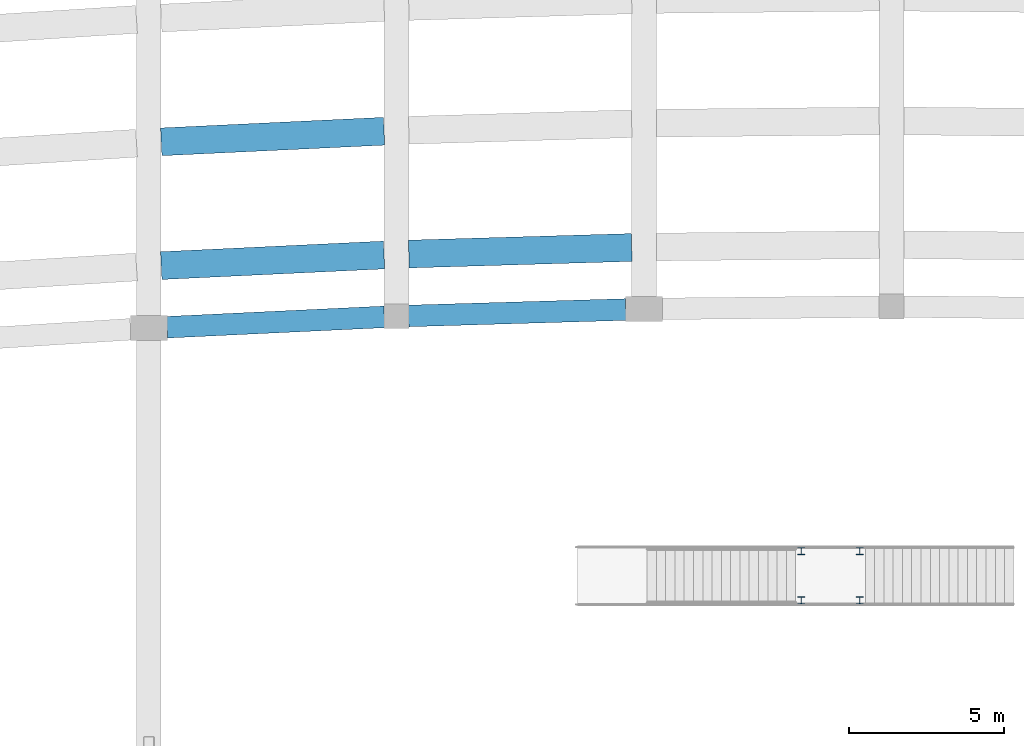
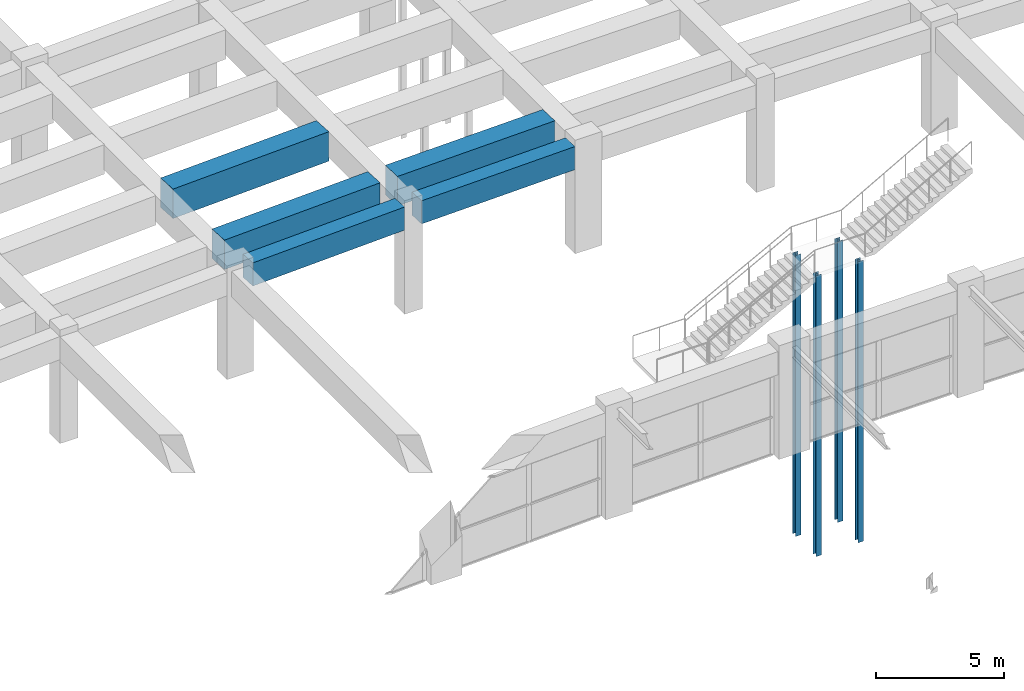
# One storey, part 25 of 69: 5 beams, 4 members.
"""IFC4 building model written with IfcOpenShell, lengths in metres."""

import ifcopenshell
import ifcopenshell.guid

model = None  # the IFC model being written
_history = None  # IfcOwnerHistory: only IFC2X3 demands one
_inside = {}  # id of a spatial element -> (the spatial element, [elements in it])
_under = {}  # id of a project, library or spatial element -> (it, [spatial elements below it])
_declared = {}  # id of a project -> (the project, [libraries it declares])
_typed = {}  # id of a type object -> (the type object, [elements of that type])
_made_of = {}  # id of a material, layer set ... -> (it, [elements and type objects made of it])


def new_model(schema):
    """Start an empty IFC model of exactly this schema.

    Asked for "IFC4X3", IfcOpenShell would pick the latest addendum, in which some entities
    have other attributes; the version numbers below select the first issue.
    IFC2X3 requires an IfcOwnerHistory on every rooted entity: one is made here for all.
    """
    global model, _history
    if schema == "IFC4X3":
        model = ifcopenshell.file(schema_version=(4, 3, 0, 0))
    else:
        model = ifcopenshell.file(schema=schema)
    _inside.clear()
    _under.clear()
    _declared.clear()
    _typed.clear()
    _made_of.clear()
    _history = None
    if model.schema == "IFC2X3":
        org = make("IfcOrganization", Name="unknown")
        user = make(
            "IfcPersonAndOrganization",
            ThePerson=make("IfcPerson", FamilyName="unknown"),
            TheOrganization=org,
        )
        app = make(
            "IfcApplication",
            ApplicationDeveloper=org,
            Version="unknown",
            ApplicationFullName="unknown",
            ApplicationIdentifier="unknown",
        )
        _history = make(
            "IfcOwnerHistory",
            OwningUser=user,
            OwningApplication=app,
            ChangeAction="ADDED",
            CreationDate=0,
        )
    return model


def make(cls, **values):
    """One entity of the class cls with the attributes given. An attribute that is None is left unset."""
    return model.create_entity(
        cls, **{name: value for name, value in values.items() if value is not None}
    )


def rooted(cls, **values):
    """An entity with a GlobalId (a new one), such as an element, a storey or a relation."""
    return make(cls, GlobalId=ifcopenshell.guid.new(), OwnerHistory=_history, **values)


def si_unit(unit_type, name, prefix=None):
    """IfcSIUnit, for example si_unit("LENGTHUNIT", "METRE", prefix="MILLI")."""
    return make("IfcSIUnit", UnitType=unit_type, Prefix=prefix, Name=name)


def assignment(units):
    """IfcUnitAssignment: the units of a project."""
    return None if units is None else make("IfcUnitAssignment", Units=units)


def point(xyz):
    """IfcCartesianPoint."""
    return None if xyz is None else make("IfcCartesianPoint", Coordinates=xyz)


def direction(xyz):
    """IfcDirection."""
    return None if xyz is None else make("IfcDirection", DirectionRatios=xyz)


def frame(location, z_axis=None, x_axis=None):
    """IfcAxis2Placement3D, a coordinate frame: its origin and axes. An axis left out is left unset."""
    return make(
        "IfcAxis2Placement3D",
        Location=point(location),
        Axis=direction(z_axis),
        RefDirection=direction(x_axis),
    )


def frame_2d(location, x_axis=None):
    """IfcAxis2Placement2D, a coordinate frame in the plane: its origin and x axis."""
    return make(
        "IfcAxis2Placement2D", Location=point(location), RefDirection=direction(x_axis)
    )


def origin():
    """The frame at (0, 0, 0) with its axes left unset."""
    return frame((0.0, 0.0, 0.0))


def origin_2d():
    """The frame at (0, 0) in the plane with its x axis left unset."""
    return frame_2d((0.0, 0.0))


def place(relative_to, where):
    """IfcLocalPlacement: puts the frame where relative to a parent placement (None: the world)."""
    return make(
        "IfcLocalPlacement", PlacementRelTo=relative_to, RelativePlacement=where
    )


def context(
    kind, dimensions, precision=None, world=None, true_north=None, identifier=None
):
    """IfcGeometricRepresentationContext, for example the 3D "Model" context."""
    return make(
        "IfcGeometricRepresentationContext",
        ContextIdentifier=identifier,
        ContextType=kind,
        CoordinateSpaceDimension=dimensions,
        Precision=precision,
        WorldCoordinateSystem=world,
        TrueNorth=true_north,
    )


def subcontext(parent, identifier, kind, view, scale=None):
    """IfcGeometricRepresentationSubContext, for example "Body" below "Model"."""
    return make(
        "IfcGeometricRepresentationSubContext",
        ContextIdentifier=identifier,
        ContextType=kind,
        ParentContext=parent,
        TargetScale=scale,
        TargetView=view,
    )


def project(units=None, contexts=None):
    """IfcProject with its units and contexts."""
    return rooted(
        "IfcProject",
        Name="project",
        RepresentationContexts=contexts,
        UnitsInContext=assignment(units),
    )


def spatial(cls, under=None, at=None, **own):
    """A site, building, storey or space (cls), placed at a placement, below another one or the project."""
    s = rooted(cls, ObjectPlacement=at, **own)
    if under is not None:
        _under.setdefault(under.id(), (under, []))[1].append(s)
    return s


def profile(cls, at=None, kind="AREA", **sizes):
    """A parametric profile (cls). Its sizes go by their IFC names, for example OverallWidth=200.0."""
    return make(cls, ProfileType=kind, Position=at, **sizes)


def rectangle(**sizes):
    """IfcRectangleProfileDef."""
    return profile("IfcRectangleProfileDef", **sizes)


def i_section(**sizes):
    """IfcIShapeProfileDef."""
    return profile("IfcIShapeProfileDef", **sizes)


def extrude(swept, where, along, depth):
    """IfcExtrudedAreaSolid: the profile swept, set in the frame where, extruded along a direction by depth."""
    return make(
        "IfcExtrudedAreaSolid",
        SweptArea=swept,
        Position=where,
        ExtrudedDirection=direction(along),
        Depth=depth,
    )


def shape(context_of_items, identifier, shape_type, items):
    """IfcShapeRepresentation: the items that make up one representation, for example the "Body"."""
    return make(
        "IfcShapeRepresentation",
        ContextOfItems=context_of_items,
        RepresentationIdentifier=identifier,
        RepresentationType=shape_type,
        Items=items,
    )


def material(Name=None, Category=None):
    """IfcMaterial."""
    return make("IfcMaterial", Name=Name, Category=Category)


def material_profile(
    of_material, cross_section, Name=None, Category=None, Priority=None
):
    """IfcMaterialProfile: a cross section and its material."""
    return make(
        "IfcMaterialProfile",
        Name=Name,
        Material=of_material,
        Profile=cross_section,
        Priority=Priority,
        Category=Category,
    )


def profile_set(profiles, Name=None, composite=None):
    """IfcMaterialProfileSet."""
    return make(
        "IfcMaterialProfileSet",
        Name=Name,
        MaterialProfiles=profiles,
        CompositeProfile=composite,
    )


def made_of(thing, what):
    """Note that an element or type object is made of a material, layer set ...; save() writes the relation."""
    if what is not None:
        _made_of.setdefault(what.id(), (what, []))[1].append(thing)
    return thing


def type_object(cls, material=None, **own):
    """A type object (cls), such as IfcWallType, which elements share."""
    return made_of(rooted(cls, **own), material)


def element(
    cls,
    number,
    at=None,
    inside=None,
    cuts=None,
    type_object=None,
    material=None,
    context=None,
    identifier="Body",
    shape_type=None,
    held_by="IfcProductDefinitionShape",
    body=None,
    shapes=None,
    **own,
):
    """One element of the class cls, such as IfcWall. Its Tag is "e" and its number.

    at: its placement. inside: the storey or other place that contains it. cuts: it is an
    opening in that element (IfcRelVoidsElement). A single representation is given by context,
    identifier, shape_type and body (its items); several are given by shapes. held_by: the class
    of the entity that holds the representations. save() writes the other relations.
    """
    e = rooted(cls, Tag="e%d" % number, ObjectPlacement=at, **own)
    if body is not None:
        shapes = [shape(context, identifier, shape_type, body)]
    if shapes is not None:
        e.Representation = make(held_by, Representations=shapes)
    if inside is not None:
        _inside.setdefault(inside.id(), (inside, []))[1].append(e)
    if cuts is not None:
        rooted(
            "IfcRelVoidsElement", RelatingBuildingElement=cuts, RelatedOpeningElement=e
        )
    if type_object is not None:
        _typed.setdefault(type_object.id(), (type_object, []))[1].append(e)
    return made_of(e, material)


def aggregate(whole, parts):
    """IfcRelAggregates: a whole, such as a stair, and the parts it consists of."""
    return rooted("IfcRelAggregates", RelatingObject=whole, RelatedObjects=parts)


def save(model, path):
    """Write the relations noted so far, then the file.

    IfcRelAggregates (storeys below a building ...), IfcRelContainedInSpatialStructure (elements
    in a storey), IfcRelDefinesByType, IfcRelAssociatesMaterial and IfcRelDeclares: one each for
    every whole, place, type object, material and project.
    """
    for whole, parts in _under.values():
        aggregate(whole, parts)
    for where, things in _inside.values():
        rooted(
            "IfcRelContainedInSpatialStructure",
            RelatedElements=things,
            RelatingStructure=where,
        )
    for kind, things in _typed.values():
        rooted("IfcRelDefinesByType", RelatedObjects=things, RelatingType=kind)
    for what, things in _made_of.values():
        rooted("IfcRelAssociatesMaterial", RelatedObjects=things, RelatingMaterial=what)
    for by, libraries in _declared.values():
        rooted("IfcRelDeclares", RelatingContext=by, RelatedDefinitions=libraries)
    model.write(path)


model = new_model("IFC4")

# Units and contexts
model_context = context("Model", 3, precision=1e-05, world=origin(), true_north=direction((0.0, 1.0)))
body_context = subcontext(model_context, "Body", "Model", "MODEL_VIEW")
ifc_project = project(units=[si_unit("LENGTHUNIT", "METRE"), si_unit("AREAUNIT", "SQUARE_METRE"), si_unit("VOLUMEUNIT", "CUBIC_METRE"), si_unit("PLANEANGLEUNIT", "RADIAN"), si_unit("MASSUNIT", "GRAM", prefix="KILO")], contexts=[model_context])

# Site, building, storey
site_placement = place(None, origin())
site = spatial("IfcSite", under=ifc_project, at=site_placement, CompositionType="ELEMENT")
building_placement = place(site_placement, origin())
building = spatial("IfcBuilding", under=site, at=building_placement, Name="Kenh Van Central Station", CompositionType="ELEMENT")
storey_placement = place(building_placement, frame((0.0, 0.0, 5.39990234375)))
storey = spatial("IfcBuildingStorey", under=building, at=storey_placement, Name="L01", CompositionType="ELEMENT", Elevation=5.39990234375)

# Beams
ifc_material_1 = material(Name="Concrete C40/50", Category="concrete")
ifc_material_profile_1 = material_profile(ifc_material_1, rectangle(XDim=0.699951171875, YDim=1.10009765625, at=origin_2d()), Name="RC 700x1100")
ifc_profile_set_1 = profile_set([ifc_material_profile_1], Name="Concrete C40/50")
beam_type_1 = type_object("IfcBeamType", Name="BM-RC-700x1100", PredefinedType="BEAM", material=ifc_profile_set_1)
beam_1_placement = place(storey_placement, frame((64.58935546875, 82.530029296875, 4.530029296875), z_axis=(0.998867194536, 0.04758495224, 0.0), x_axis=(-0.04758495224, 0.998867194536, 0.0)))
element("IfcBeam", 1, at=beam_1_placement, inside=storey, type_object=beam_type_1, Name="L01 viaduct girder 1398", PredefinedType="BEAM", context=body_context, shape_type="SweptSolid", body=[
    extrude(rectangle(XDim=0.699951171875, YDim=1.10009765625, at=origin_2d()), origin(), (0.0, 0.0, 1.0), 7.029052734375),
])
beam_2_placement = place(storey_placement, frame((72.389892578125, 82.89453125, 4.530029296875), z_axis=(0.999562359797, 0.029581901172, 0.0), x_axis=(-0.029581901172, 0.999562359797, 0.0)))
element("IfcBeam", 2, at=beam_2_placement, inside=storey, type_object=beam_type_1, Name="L01 viaduct girder 1399", PredefinedType="BEAM", context=body_context, shape_type="SweptSolid", body=[
    extrude(rectangle(XDim=0.699951171875, YDim=1.10009765625, at=origin_2d()), origin(), (0.0, 0.0, 1.0), 7.0234375),
])
ifc_material_profile_2 = material_profile(ifc_material_1, rectangle(XDim=0.89990234375, YDim=1.39990234375, at=origin_2d()), Name="RC 900x1400")
ifc_profile_set_2 = profile_set([ifc_material_profile_2], Name="Concrete C40/50")
beam_type_2 = type_object("IfcBeamType", Name="BM-TRK-900x1400", PredefinedType="BEAM", material=ifc_profile_set_2)
beam_3_placement = place(storey_placement, frame((64.399658203125, 84.52099609375, 4.380126953125), z_axis=(0.998867294729, 0.047582849023, 0.0), x_axis=(-0.047582849023, 0.998867294729, 0.0)))
element("IfcBeam", 3, at=beam_3_placement, inside=storey, type_object=beam_type_2, Name="Track 1 trough girder 1479", PredefinedType="BEAM", context=body_context, shape_type="SweptSolid", body=[
    extrude(rectangle(XDim=0.89990234375, YDim=1.39990234375, at=origin_2d()), origin(), (0.0, 0.0, 1.0), 7.208740234375),
])
beam_4_placement = place(storey_placement, frame((72.39990234375, 84.89501953125, 4.380126953125), z_axis=(0.999563172588, 0.029554424471, 0.0), x_axis=(-0.029554424471, 0.999563172588, 0.0)))
element("IfcBeam", 4, at=beam_4_placement, inside=storey, type_object=beam_type_2, Name="Track 1 trough girder 1480", PredefinedType="BEAM", context=body_context, shape_type="SweptSolid", body=[
    extrude(rectangle(XDim=0.89990234375, YDim=1.39990234375, at=origin_2d()), origin(), (0.0, 0.0, 1.0), 7.203369140625),
])
beam_5_placement = place(storey_placement, frame((64.399658203125, 88.52099609375, 4.380126953125), z_axis=(0.998867294729, 0.047582849023, 0.0), x_axis=(-0.047582849023, 0.998867294729, 0.0)))
element("IfcBeam", 5, at=beam_5_placement, inside=storey, type_object=beam_type_2, Name="Track 2 trough girder 1493", PredefinedType="BEAM", context=body_context, shape_type="SweptSolid", body=[
    extrude(rectangle(XDim=0.89990234375, YDim=1.39990234375, at=origin_2d()), origin(), (0.0, 0.0, 1.0), 7.208740234375),
])

# Members
ifc_material_2 = material(Name="Steel S355", Category="steel")
ifc_material_profile_3 = material_profile(ifc_material_2, i_section(OverallWidth=0.239990234375, OverallDepth=0.22998046875, WebThickness=0.007568359375, FlangeThickness=0.011962890625, FilletRadius=0.02099609375, at=origin_2d()), Name="HEA 240")
ifc_profile_set_3 = profile_set([ifc_material_profile_3], Name="Steel S355")
member_type = type_object("IfcMemberType", Name="MEM-ROOF-POST240", PredefinedType="POST", material=ifc_profile_set_3)
for number, where, z_axis, x_axis, name in (
    (6, (85.080078125, 73.705078125, -10.7998046875), (0.0, 0.0, 1.0), (1.0, 0.0, 0.0), "Island Platform 1 Central Transfer Stair mid-landing support post 11"),
    (7, (85.080078125, 75.294921875, -10.7998046875), (0.0, 0.0, 1.0), (1.0, 0.0, 0.0), "Island Platform 1 Central Transfer Stair mid-landing support post 12"),
    (8, (86.969970703125, 73.705078125, -10.7998046875), (0.0, 0.0, 1.0), (1.0, 0.0, 0.0), "Island Platform 1 Central Transfer Stair mid-landing support post 21"),
    (9, (86.969970703125, 75.294921875, -10.7998046875), (0.0, 0.0, 1.0), (1.0, 0.0, 0.0), "Island Platform 1 Central Transfer Stair mid-landing support post 22"),
):
    element("IfcMember", number, at=place(storey_placement, frame(where, z_axis=z_axis, x_axis=x_axis)), inside=storey, type_object=member_type, Name=name, PredefinedType="POST", context=body_context, shape_type="SweptSolid", body=[
        extrude(i_section(OverallWidth=0.239990234375, OverallDepth=0.22998046875, WebThickness=0.007568359375, FlangeThickness=0.011962890625, FilletRadius=0.02099609375, at=origin_2d()), origin(), (0.0, 0.0, 1.0), 13.349853515625),
    ])

save(model, "model.ifc")
